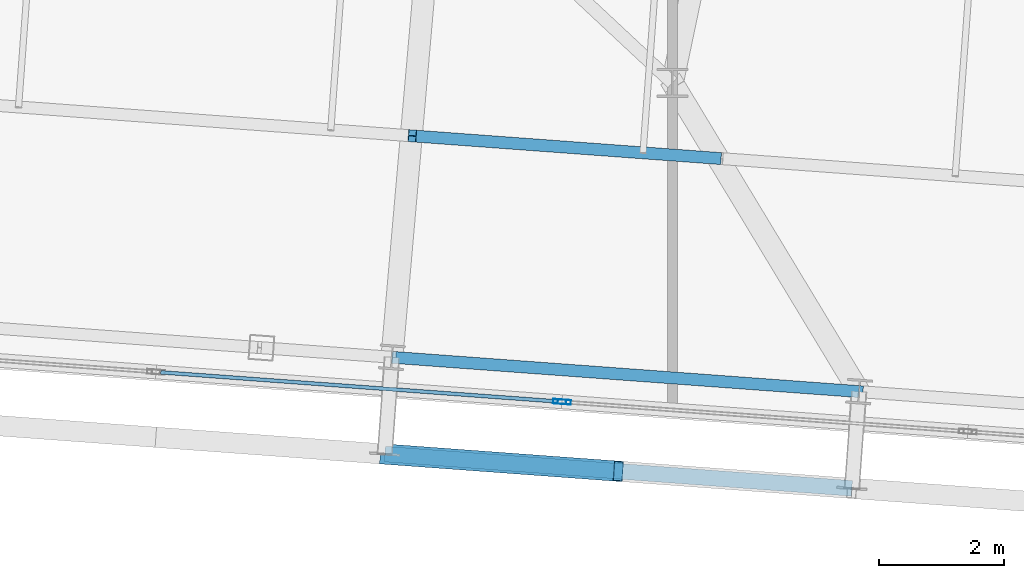
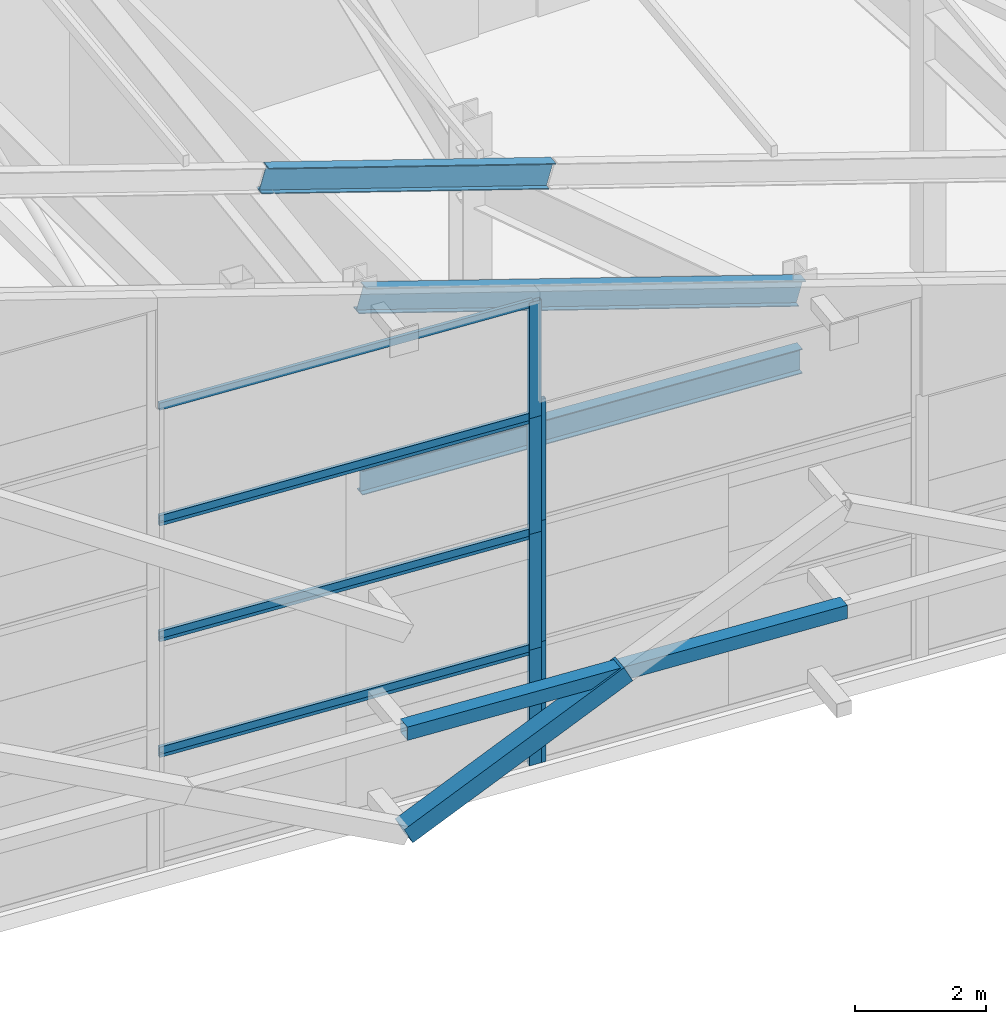
# One storey, part 11 of 56: 17 members, 2 beams, 7 elements without a shape of their own.
"""IFC4 building model written with IfcOpenShell, lengths in metres."""

from ifc_helpers import new_model, si_unit, direction, frame, origin, origin_2d, place, context, subcontext, project, spatial, hollow_rectangle, i_section, extrude, source, transform, mapped, material, layer, layer_set, material_profile, profile_set, type_object, element, aggregate, save


model = new_model("IFC4")

# Units and contexts
model_context = context("Model", 3, precision=1e-05, world=origin(), true_north=direction((0.0, 1.0)))
body_context = subcontext(model_context, "Body", "Model", "MODEL_VIEW")
ifc_project = project(units=[si_unit("LENGTHUNIT", "METRE"), si_unit("AREAUNIT", "SQUARE_METRE"), si_unit("VOLUMEUNIT", "CUBIC_METRE"), si_unit("PLANEANGLEUNIT", "RADIAN"), si_unit("MASSUNIT", "GRAM", prefix="KILO")], contexts=[model_context])

# Site, building, storey
site_placement = place(None, origin())
site = spatial("IfcSite", under=ifc_project, at=site_placement, CompositionType="ELEMENT")
building_placement = place(site_placement, origin())
building = spatial("IfcBuilding", under=site, at=building_placement, Name="Taldren Reach Tower", CompositionType="ELEMENT")
storey_placement = place(building_placement, frame((0.0, 0.0, 253.050048828125)))
storey = spatial("IfcBuildingStorey", under=building, at=storey_placement, Name="L77", CompositionType="ELEMENT", Elevation=253.050048828125)

# Members
ifc_material_1 = material(Name="Steel Gr 350 (C350L0)", Category="steel")
ifc_material_profile_1 = material_profile(ifc_material_1, hollow_rectangle(XDim=0.25, YDim=0.25, WallThickness=0.010009765625, at=origin_2d()), Name="250x250x10.0SHS")
ifc_profile_set_1 = profile_set([ifc_material_profile_1], Name="Steel Gr 350 (C350L0)")
member_type_1 = type_object("IfcMemberType", Name="MB-POST250", PredefinedType="POST", material=ifc_profile_set_1)
shared_shape_1 = source(origin(), body_context, "Body", "SweptSolid", [
    extrude(hollow_rectangle(XDim=0.25, YDim=0.25, WallThickness=0.010009765625, at=origin_2d()), origin(), (0.0, 0.0, 1.0), 7.479736328125),
])
member_1_placement = place(storey_placement, frame((37.406982421875, 3.27099609375, 2.10986328125), z_axis=(0.997314045547, -0.073244075215, 0.0), x_axis=(0.073244075215, 0.997314045547, 0.0)))
element("IfcMember", 1, at=member_1_placement, inside=storey, type_object=member_type_1, Name="Exoskeleton mid-height ring chord B5-S4 L77", PredefinedType="POST", context=body_context, shape_type="MappedRepresentation", body=[
    mapped(shared_shape_1, transform((0.0, 0.0, 0.0), scale=1.0)),
])
ifc_material_2 = material(Name="Steel Gr 350 (350PLUS)", Category="steel")
ifc_material_profile_2 = material_profile(ifc_material_2, i_section(OverallWidth=0.19091796875, OverallDepth=0.4599609375, WebThickness=0.010009765625, FlangeThickness=0.01611328125, at=origin_2d()), Name="460UB82.1")
ifc_profile_set_2 = profile_set([ifc_material_profile_2], Name="Steel Gr 350 (350PLUS)")
member_type_2 = type_object("IfcMemberType", Name="MB-RAF460", PredefinedType="RAFTER", material=ifc_profile_set_2)
shared_shape_2 = source(origin(), body_context, "Body", "SweptSolid", [
    extrude(i_section(OverallWidth=0.19091796875, OverallDepth=0.4599609375, WebThickness=0.010009765625, FlangeThickness=0.01611328125, at=origin_2d()), origin(), (0.0, 0.0, 1.0), 5.078857421875),
])
member_2_placement = place(storey_placement, frame((42.714111328125, 7.994873046875, 7.785400390625), z_axis=(-0.958707462193, 0.070422504619, 0.275537062439), x_axis=(-0.073258300544, -0.997313000718, 0.0)))
element("IfcMember", 2, at=member_2_placement, inside=storey, type_object=member_type_2, Name="Crown sloped rafter RF-1.3", PredefinedType="RAFTER", context=body_context, shape_type="MappedRepresentation", body=[
    mapped(shared_shape_2, transform((0.0, 0.0, 0.0), scale=1.0)),
])

# Beams
ifc_material_profile_3 = material_profile(ifc_material_2, i_section(OverallWidth=0.19091796875, OverallDepth=0.4599609375, WebThickness=0.010009765625, FlangeThickness=0.01611328125, at=origin_2d()), Name="460UB82.1")
ifc_profile_set_3 = profile_set([ifc_material_profile_3], Name="Steel Gr 350 (350PLUS)")
beam_type = type_object("IfcBeamType", Name="BM-UB460A", PredefinedType="BEAM", material=ifc_profile_set_3)
shared_shape_3 = source(origin(), body_context, "Body", "SweptSolid", [
    extrude(i_section(OverallWidth=0.19091796875, OverallDepth=0.4599609375, WebThickness=0.010009765625, FlangeThickness=0.01611328125, at=origin_2d()), origin(), (0.0, 0.0, 1.0), 7.781005859375),
])
beam_1_placement = place(storey_placement, frame((37.5205078125, 4.81689453125, 9.203369140625), z_axis=(0.958705502801, -0.070408612282, -0.275547430064), x_axis=(0.073244075215, 0.997314045547, 0.0)))
element("IfcBeam", 3, at=beam_1_placement, inside=storey, type_object=beam_type, Name="Crown sloped perimeter rake girder S6", PredefinedType="BEAM", context=body_context, shape_type="MappedRepresentation", body=[
    mapped(shared_shape_3, transform((0.0, 0.0, 0.0), scale=1.0)),
])
shared_shape_4 = source(origin(), body_context, "Body", "SweptSolid", [
    extrude(i_section(OverallWidth=0.19091796875, OverallDepth=0.4599609375, WebThickness=0.010009765625, FlangeThickness=0.01611328125, at=origin_2d()), origin(), (0.0, 0.0, 1.0), 7.479736328125),
])
beam_2_placement = place(storey_placement, frame((37.5205078125, 4.81689453125, 5.800048828125), z_axis=(0.997314045547, -0.073244075215, 0.0), x_axis=(0.073244075215, 0.997314045547, 0.0)))
element("IfcBeam", 4, at=beam_2_placement, inside=storey, type_object=beam_type, Name="Crown perimeter wind girt LO S4-S5", PredefinedType="BEAM", context=body_context, shape_type="MappedRepresentation", body=[
    mapped(shared_shape_4, transform((0.0, 0.0, 0.0), scale=1.0)),
])

# Member
ifc_material_3 = material(Name="Steel Gr 450 (C450L0)", Category="steel")
ifc_material_profile_4 = material_profile(ifc_material_3, hollow_rectangle(XDim=0.324951171875, YDim=0.324951171875, WallThickness=0.0126953125, at=origin_2d()), Name="325x325x12.7SHS")
ifc_profile_set_4 = profile_set([ifc_material_profile_4], Name="Steel Gr 450 (C450L0)")
member_type_3 = type_object("IfcMemberType", Name="MB-BR324", PredefinedType="BRACE", material=ifc_profile_set_4)
shared_shape_5 = source(origin(), body_context, "Body", "SweptSolid", [
    extrude(hollow_rectangle(XDim=0.324951171875, YDim=0.324951171875, WallThickness=0.0126953125, at=origin_2d()), origin(), (0.0, 0.0, 1.0), 4.190185546875),
])
member_3_placement = place(storey_placement, frame((37.406982421875, 3.27099609375, 0.219970703125), z_axis=(0.890112262344, -0.065373172635, 0.451028279296), x_axis=(0.073246459555, 0.997313870435, 0.0)))
element("IfcMember", 5, at=member_3_placement, inside=storey, type_object=member_type_3, Name="Exoskeleton Diagrid Brace B5-S4 L77", PredefinedType="BRACE", context=body_context, shape_type="MappedRepresentation", body=[
    mapped(shared_shape_5, transform((0.0, 0.0, 0.0), scale=1.0)),
])

# Curtain wall, member
ifc_material_4 = material(Name="Aluminium and Low-E Glass Unitised System", Category="aluminium")
ifc_layer = layer(ifc_material_4, 0.159912109375)
ifc_layer_set = layer_set([ifc_layer], Name="Aluminium and Low-E Glass Unitised System")
curtain_wall_type = type_object("IfcCurtainWallType", Name="CW-SYS-8", PredefinedType="NOTDEFINED", material=ifc_layer_set)
curtain_wall_1_placement = place(storey_placement, origin())
curtain_wall_1 = element("IfcCurtainWall", 6, at=curtain_wall_1_placement, inside=storey, type_object=curtain_wall_type, Name="Unitised curtain wall CW8-L77-S4", PredefinedType="NOTDEFINED")
ifc_material_5 = material(Name="Anodised Aluminium 6063-T6", Category="aluminium")
ifc_material_profile_5 = material_profile(ifc_material_5, hollow_rectangle(XDim=0.06005859375, YDim=0.135009765625, WallThickness=0.00341796875, at=origin_2d()), Name="ALU-135x60x3.5RHS")
ifc_profile_set_5 = profile_set([ifc_material_profile_5], Name="Anodised Aluminium 6063-T6")
member_type_4 = type_object("IfcMemberType", Name="CW-TRN-150", PredefinedType="USERDEFINED", material=ifc_profile_set_5)
shared_shape_6 = source(origin(), body_context, "Body", "SweptSolid", [
    extrude(hollow_rectangle(XDim=0.06005859375, YDim=0.135009765625, WallThickness=0.00341796875, at=origin_2d()), origin(), (0.0, 0.0, 1.0), 6.35009765625),
])
member_4_placement = place(storey_placement, frame((33.827880859375, 4.57666015625, 2.1328125), z_axis=(0.997314237186, -0.073241465761, 0.0), x_axis=(0.073241465761, 0.997314237186, 0.0)))
member_4 = element("IfcMember", 7, at=member_4_placement, type_object=member_type_4, Name="CW-8 transom 1.2", ObjectType="TRANSOM", PredefinedType="USERDEFINED", context=body_context, shape_type="MappedRepresentation", body=[
    mapped(shared_shape_6, transform((0.0, 0.0, 0.0), scale=1.0)),
])

# Curtain wall, members
curtain_wall_2_placement = place(storey_placement, origin())
curtain_wall_2 = element("IfcCurtainWall", 8, at=curtain_wall_2_placement, inside=storey, type_object=curtain_wall_type, Name="Unitised curtain wall CW8-L77-S4-T2", PredefinedType="NOTDEFINED")
member_5_placement = place(storey_placement, frame((33.827880859375, 4.57666015625, 2.19287109375), z_axis=(0.997314237186, -0.073241465761, 0.0), x_axis=(0.073241465761, 0.997314237186, 0.0)))
member_5 = element("IfcMember", 9, at=member_5_placement, type_object=member_type_4, Name="CW-8 transom 1.1", ObjectType="TRANSOM", PredefinedType="USERDEFINED", context=body_context, shape_type="MappedRepresentation", body=[
    mapped(shared_shape_6, transform((0.0, 0.0, 0.0), scale=1.0)),
])
member_6_placement = place(storey_placement, frame((33.827880859375, 4.57666015625, 4.295654296875), z_axis=(0.997314237186, -0.073241465761, 0.0), x_axis=(0.073241465761, 0.997314237186, 0.0)))
member_6 = element("IfcMember", 10, at=member_6_placement, type_object=member_type_4, Name="CW-8 transom 1.2", ObjectType="TRANSOM", PredefinedType="USERDEFINED", context=body_context, shape_type="MappedRepresentation", body=[
    mapped(shared_shape_6, transform((0.0, 0.0, 0.0), scale=1.0)),
])

curtain_wall_3_placement = place(storey_placement, origin())
curtain_wall_3 = element("IfcCurtainWall", 11, at=curtain_wall_3_placement, inside=storey, type_object=curtain_wall_type, Name="Unitised curtain wall CW8-L77-S4-T3", PredefinedType="NOTDEFINED")
member_7_placement = place(storey_placement, frame((33.827880859375, 4.57666015625, 4.355712890625), z_axis=(0.997314237186, -0.073241465761, 0.0), x_axis=(0.073241465761, 0.997314237186, 0.0)))
member_7 = element("IfcMember", 12, at=member_7_placement, type_object=member_type_4, Name="CW-8 transom 1.1", ObjectType="TRANSOM", PredefinedType="USERDEFINED", context=body_context, shape_type="MappedRepresentation", body=[
    mapped(shared_shape_6, transform((0.0, 0.0, 0.0), scale=1.0)),
])
member_8_placement = place(storey_placement, frame((33.827880859375, 4.57666015625, 6.458740234375), z_axis=(0.997314237186, -0.073241465761, 0.0), x_axis=(0.073241465761, 0.997314237186, 0.0)))
member_8 = element("IfcMember", 13, at=member_8_placement, type_object=member_type_4, Name="CW-8 transom 1.2", ObjectType="TRANSOM", PredefinedType="USERDEFINED", context=body_context, shape_type="MappedRepresentation", body=[
    mapped(shared_shape_6, transform((0.0, 0.0, 0.0), scale=1.0)),
])

curtain_wall_4_placement = place(storey_placement, origin())
curtain_wall_4 = element("IfcCurtainWall", 14, at=curtain_wall_4_placement, inside=storey, type_object=curtain_wall_type, Name="Unitised curtain wall CW8-L77-S4-T4", PredefinedType="NOTDEFINED")
member_9_placement = place(storey_placement, frame((33.827880859375, 4.57666015625, 6.5185546875), z_axis=(0.997314237186, -0.073241465761, 0.0), x_axis=(0.073241465761, 0.997314237186, 0.0)))
member_9 = element("IfcMember", 15, at=member_9_placement, type_object=member_type_4, Name="CW-8 transom 1.1", ObjectType="TRANSOM", PredefinedType="USERDEFINED", context=body_context, shape_type="MappedRepresentation", body=[
    mapped(shared_shape_6, transform((0.0, 0.0, 0.0), scale=1.0)),
])
member_10_placement = place(storey_placement, frame((33.827880859375, 4.57666015625, 8.62158203125), z_axis=(0.997314237186, -0.073241465761, 0.0), x_axis=(0.073241465761, 0.997314237186, 0.0)))
member_10 = element("IfcMember", 16, at=member_10_placement, type_object=member_type_4, Name="CW-8 transom 1.2", ObjectType="TRANSOM", PredefinedType="USERDEFINED", context=body_context, shape_type="MappedRepresentation", body=[
    mapped(shared_shape_6, transform((0.0, 0.0, 0.0), scale=1.0)),
])

# Member
ifc_material_profile_6 = material_profile(ifc_material_5, hollow_rectangle(XDim=0.074951171875, YDim=0.2099609375, WallThickness=0.00439453125, at=origin_2d()), Name="ALU-210x75x4.5RHS")
ifc_profile_set_6 = profile_set([ifc_material_profile_6], Name="Anodised Aluminium 6063-T6")
member_type_5 = type_object("IfcMemberType", Name="CW-MUL-200", PredefinedType="MULLION", material=ifc_profile_set_6)
shared_shape_7 = source(origin(), body_context, "Body", "SweptSolid", [
    extrude(hollow_rectangle(XDim=0.074951171875, YDim=0.2099609375, WallThickness=0.00439453125, at=origin_2d()), origin(), (0.0, 0.0, 1.0), 2.162841796875),
])
member_11_placement = place(storey_placement, frame((40.1982421875, 4.108642578125, 0.0), z_axis=(0.0, 0.0, 1.0), x_axis=(0.073238506213, 0.997314454527, 0.0)))
member_11 = element("IfcMember", 17, at=member_11_placement, type_object=member_type_5, Name="CW-8 mullion 2", PredefinedType="MULLION", context=body_context, shape_type="MappedRepresentation", body=[
    mapped(shared_shape_7, transform((0.0, 0.0, 0.0), scale=1.0)),
])

aggregate(curtain_wall_1, [member_11, member_4])

member_12_placement = place(storey_placement, frame((40.1982421875, 4.108642578125, 2.162841796875), z_axis=(0.0, 0.0, 1.0), x_axis=(0.073238506213, 0.997314454527, 0.0)))
member_12 = element("IfcMember", 18, at=member_12_placement, type_object=member_type_5, Name="CW-8 mullion 2", PredefinedType="MULLION", context=body_context, shape_type="MappedRepresentation", body=[
    mapped(shared_shape_7, transform((0.0, 0.0, 0.0), scale=1.0)),
])

aggregate(curtain_wall_2, [member_12, member_5, member_6])

member_13_placement = place(storey_placement, frame((40.1982421875, 4.108642578125, 6.48876953125), z_axis=(0.0, 0.0, 1.0), x_axis=(0.073238506213, 0.997314454527, 0.0)))
member_13 = element("IfcMember", 19, at=member_13_placement, type_object=member_type_5, Name="CW-8 mullion 2", PredefinedType="MULLION", context=body_context, shape_type="MappedRepresentation", body=[
    mapped(shared_shape_7, transform((0.0, 0.0, 0.0), scale=1.0)),
])

aggregate(curtain_wall_4, [member_13, member_9, member_10])

shared_shape_8 = source(origin(), body_context, "Body", "SweptSolid", [
    extrude(hollow_rectangle(XDim=0.074951171875, YDim=0.2099609375, WallThickness=0.00439453125, at=origin_2d()), origin(), (0.0, 0.0, 1.0), 2.1630859375),
])
member_14_placement = place(storey_placement, frame((40.1982421875, 4.108642578125, 4.32568359375), z_axis=(0.0, 0.0, 1.0), x_axis=(0.073238506213, 0.997314454527, 0.0)))
member_14 = element("IfcMember", 20, at=member_14_placement, type_object=member_type_5, Name="CW-8 mullion 2", PredefinedType="MULLION", context=body_context, shape_type="MappedRepresentation", body=[
    mapped(shared_shape_8, transform((0.0, 0.0, 0.0), scale=1.0)),
])

aggregate(curtain_wall_3, [member_14, member_7, member_8])

# Curtain wall, member
curtain_wall_5_placement = place(storey_placement, origin())
curtain_wall_5 = element("IfcCurtainWall", 21, at=curtain_wall_5_placement, inside=storey, type_object=curtain_wall_type, Name="Unitised curtain wall CW8-L77-S5", PredefinedType="NOTDEFINED")
shared_shape_9 = source(origin(), body_context, "Body", "SweptSolid", [
    extrude(hollow_rectangle(XDim=0.074951171875, YDim=0.2099609375, WallThickness=0.00439453125, at=origin_2d()), origin(), (0.0, 0.0, 1.0), 2.2626953125),
])
member_15_placement = place(storey_placement, frame((40.27294921875, 4.103271484375, 0.0), z_axis=(0.0, 0.0, 1.0), x_axis=(0.073238393838, 0.997314462779, 0.0)))
member_15 = element("IfcMember", 22, at=member_15_placement, type_object=member_type_5, Name="CW-8 mullion 1", PredefinedType="MULLION", context=body_context, shape_type="MappedRepresentation", body=[
    mapped(shared_shape_9, transform((0.0, 0.0, 0.0), scale=1.0)),
])
aggregate(curtain_wall_5, [member_15])

curtain_wall_6_placement = place(storey_placement, origin())
curtain_wall_6 = element("IfcCurtainWall", 23, at=curtain_wall_6_placement, inside=storey, type_object=curtain_wall_type, Name="Unitised curtain wall CW8-L77-S5-T2", PredefinedType="NOTDEFINED")
member_16_placement = place(storey_placement, frame((40.27294921875, 4.103271484375, 2.2626953125), z_axis=(0.0, 0.0, 1.0), x_axis=(0.073238393838, 0.997314462779, 0.0)))
member_16 = element("IfcMember", 24, at=member_16_placement, type_object=member_type_5, Name="CW-8 mullion 1", PredefinedType="MULLION", context=body_context, shape_type="MappedRepresentation", body=[
    mapped(shared_shape_9, transform((0.0, 0.0, 0.0), scale=1.0)),
])
aggregate(curtain_wall_6, [member_16])

curtain_wall_7_placement = place(storey_placement, origin())
curtain_wall_7 = element("IfcCurtainWall", 25, at=curtain_wall_7_placement, inside=storey, type_object=curtain_wall_type, Name="Unitised curtain wall CW8-L77-S5-T3", PredefinedType="NOTDEFINED")
shared_shape_10 = source(origin(), body_context, "Body", "SweptSolid", [
    extrude(hollow_rectangle(XDim=0.074951171875, YDim=0.2099609375, WallThickness=0.00439453125, at=origin_2d()), origin(), (0.0, 0.0, 1.0), 2.262939453125),
])
member_17_placement = place(storey_placement, frame((40.27294921875, 4.103271484375, 4.525390625), z_axis=(0.0, 0.0, 1.0), x_axis=(0.073238393838, 0.997314462779, 0.0)))
member_17 = element("IfcMember", 26, at=member_17_placement, type_object=member_type_5, Name="CW-8 mullion 1", PredefinedType="MULLION", context=body_context, shape_type="MappedRepresentation", body=[
    mapped(shared_shape_10, transform((0.0, 0.0, 0.0), scale=1.0)),
])
aggregate(curtain_wall_7, [member_17])

save(model, "model.ifc")
